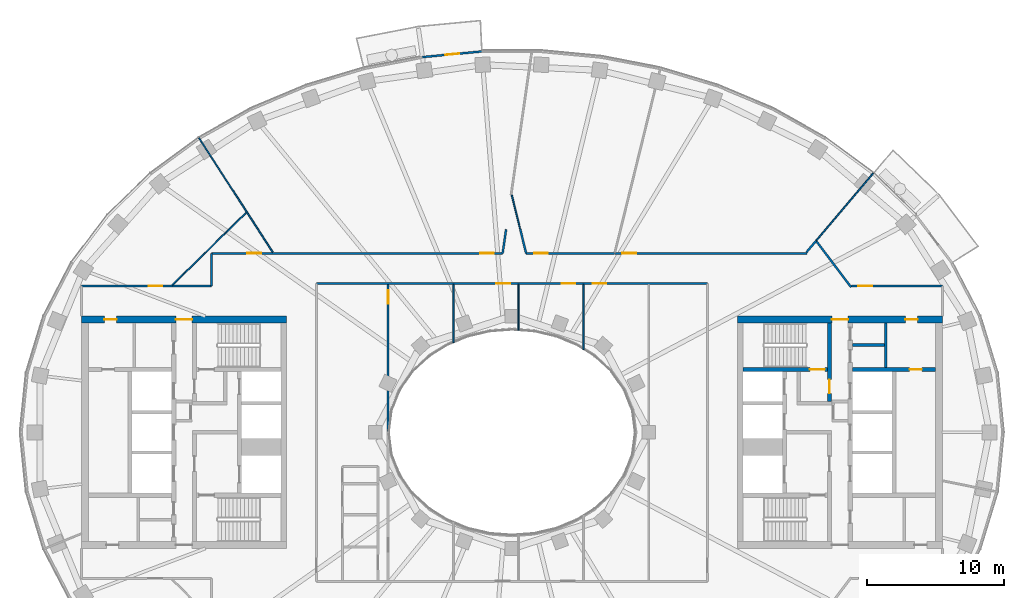
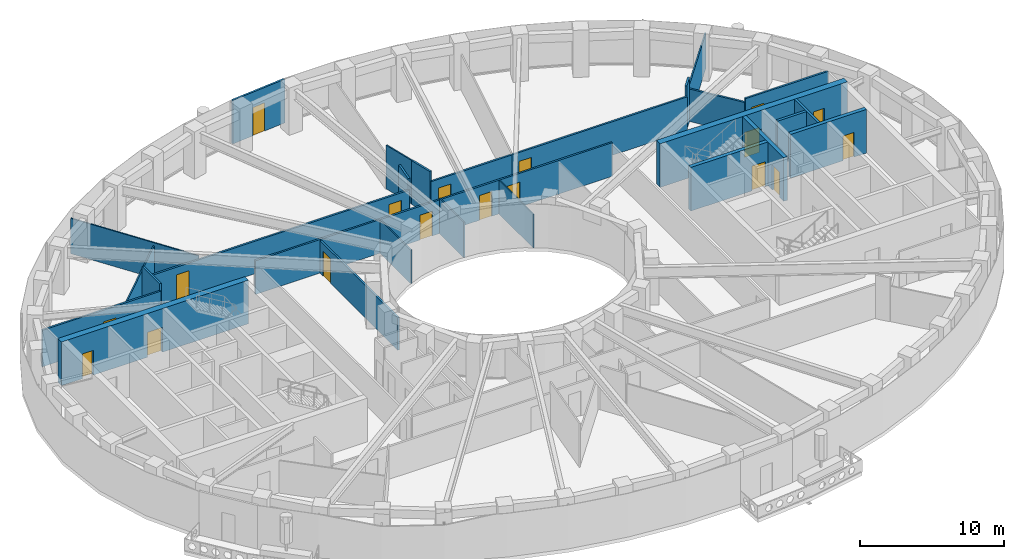
# One storey, part 6 of 16: 27 walls, 18 doors, 18 openings.
"""IFC4 building model written with IfcOpenShell, lengths in metres."""

from ifc_helpers import new_model, si_unit, direction, frame, frame_2d, origin, place, context, subcontext, project, spatial, rectangle, extrude, material, layer, layer_set, type_object, element, fill, save


model = new_model("IFC4")

# Units and contexts
model_context = context("Model", 3, precision=1e-05, world=origin(), true_north=direction((0.0, 1.0)))
body_context = subcontext(model_context, "Body", "Model", "MODEL_VIEW")
ifc_project = project(units=[si_unit("LENGTHUNIT", "METRE"), si_unit("AREAUNIT", "SQUARE_METRE"), si_unit("VOLUMEUNIT", "CUBIC_METRE"), si_unit("PLANEANGLEUNIT", "RADIAN"), si_unit("MASSUNIT", "GRAM", prefix="KILO")], contexts=[model_context])

# Site, building, storey
site_placement = place(None, origin())
site = spatial("IfcSite", under=ifc_project, at=site_placement, CompositionType="ELEMENT")
building_placement = place(site_placement, origin())
building = spatial("IfcBuilding", under=site, at=building_placement, Name="Noorbagh Ring Tower", CompositionType="ELEMENT")
storey_placement = place(building_placement, frame((0.0, 0.0, 257.5)))
storey = spatial("IfcBuildingStorey", under=building, at=storey_placement, Name="L54", CompositionType="ELEMENT", Elevation=257.5)

# Walls
ifc_material_1 = material(Name="Gypsum board on steel studs", Category="steel")
ifc_layer_1 = layer(ifc_material_1, 0.199951171875)
ifc_layer_set_1 = layer_set([ifc_layer_1], Name="Gypsum board on steel studs")
wall_type_1 = type_object("IfcWallType", Name="CORE-PARTITION-200", PredefinedType="PARTITIONING", material=ifc_layer_set_1)
wall_1_placement = place(storey_placement, frame((27.35009765625, 4.75, 0.0), z_axis=(0.0, 0.0, 1.0), x_axis=(0.0, 1.0, 0.0)))
element("IfcWall", 1, at=wall_1_placement, inside=storey, type_object=wall_type_1, Name="Core partition E", PredefinedType="PARTITIONING", context=body_context, shape_type="SweptSolid", body=[
    extrude(rectangle(XDim=3.25, YDim=0.199951171875, at=frame_2d((1.625, 0.0))), origin(), (0.0, 0.0, 1.0), 3.699951171875),
])
wall_2_placement = place(storey_placement, frame((24.89990234375, 6.39990234375, 0.0), z_axis=(0.0, 0.0, 1.0), x_axis=(1.0, 0.0, 0.0)))
element("IfcWall", 2, at=wall_2_placement, inside=storey, type_object=wall_type_1, Name="Core partition E", PredefinedType="PARTITIONING", context=body_context, shape_type="SweptSolid", body=[
    extrude(rectangle(XDim=2.35009765625, YDim=0.199951171875, at=frame_2d((1.175048828125, 0.0))), origin(), (0.0, 0.0, 1.0), 3.699951171875),
])

# Wall, opening, door
ifc_material_2 = material(Name="Concrete C60/75", Category="concrete")
ifc_layer_2 = layer(ifc_material_2, 0.300048828125)
ifc_layer_set_2 = layer_set([ifc_layer_2], Name="Concrete C60/75")
wall_type_2 = type_object("IfcWallType", Name="CORE-WALL-300-C60-75-EI240", PredefinedType="SHEAR", material=ifc_layer_set_2)
wall_3_placement = place(storey_placement, frame((24.89990234375, 4.60009765625, 0.0), z_axis=(0.0, 0.0, 1.0), x_axis=(1.0, 0.0, 0.0)))
wall_3 = element("IfcWall", 3, at=wall_3_placement, inside=storey, type_object=wall_type_2, Name="Core wall E", PredefinedType="SHEAR", context=body_context, shape_type="SweptSolid", body=[
    extrude(rectangle(XDim=6.10009765625, YDim=0.300048828125, at=frame_2d((3.050048828125, 0.0))), origin(), (0.0, 0.0, 1.0), 3.699951171875),
])
opening_1_placement = place(wall_3_placement, frame((4.199951171875, 0.0, 0.0)))
opening_1 = element("IfcOpeningElement", 4, at=opening_1_placement, cuts=wall_3, Name="Opening L54-CE19", PredefinedType="OPENING", context=body_context, shape_type="SweptSolid", body=[
    extrude(rectangle(XDim=0.89990234375, YDim=2.10009765625, at=frame_2d((0.449951171875, 1.050048828125))), frame((0.0, 0.16015625, 0.0), z_axis=(0.0, -1.0, 0.0), x_axis=(1.0, 0.0, 0.0)), (0.0, 0.0, 1.0), 0.320068359375),
])
ifc_material_3 = material(Name="Steel door leaf", Category="steel")
door_type_1 = type_object("IfcDoorType", Name="CORE-DOOR-DROOM", OperationType="SINGLE_SWING_LEFT", PredefinedType="DOOR", material=ifc_material_3)
door_1_placement = place(opening_1_placement, origin())
door_1 = element("IfcDoor", 5, at=door_1_placement, inside=storey, type_object=door_type_1, Name="Core room door L54-CE19", OperationType="SINGLE_SWING_RIGHT", OverallHeight=2.10009765625, OverallWidth=0.89990234375, PredefinedType="DOOR", context=body_context, shape_type="SweptSolid", body=[
    extrude(rectangle(XDim=0.89990234375, YDim=2.10009765625, at=frame_2d((0.449951171875, 1.050048828125))), frame((0.0, 0.02490234375, 0.0), z_axis=(0.0, -1.0, 0.0), x_axis=(1.0, 0.0, 0.0)), (0.0, 0.0, 1.0), 0.050048828125),
])
fill(opening_1, door_1)

wall_4_placement = place(storey_placement, frame((23.22998046875, 2.25, 0.0), z_axis=(0.0, 0.0, 1.0), x_axis=(0.0, 1.0, 0.0)))
wall_4 = element("IfcWall", 6, at=wall_4_placement, inside=storey, type_object=wall_type_2, Name="Core wall E", PredefinedType="SHEAR", context=body_context, shape_type="SweptSolid", body=[
    extrude(rectangle(XDim=5.75, YDim=0.300048828125, at=frame_2d((2.875, 0.0))), origin(), (0.0, 0.0, 1.0), 3.699951171875),
])
opening_2_placement = place(wall_4_placement, frame((0.60009765625, 0.0, 0.0)))
opening_2 = element("IfcOpeningElement", 7, at=opening_2_placement, cuts=wall_4, Name="Opening L54-CE10", PredefinedType="OPENING", context=body_context, shape_type="SweptSolid", body=[
    extrude(rectangle(XDim=1.0, YDim=2.10009765625, at=frame_2d((0.5, 1.050048828125))), frame((0.0, 0.16015625, 0.0), z_axis=(0.0, -1.0, 0.0), x_axis=(1.0, 0.0, 0.0)), (0.0, 0.0, 1.0), 0.320068359375),
])
ifc_material_4 = material(Name="Steel door leaf", Category="steel")
door_type_2 = type_object("IfcDoorType", Name="CORE-DOOR-DVEST", OperationType="SINGLE_SWING_LEFT", PredefinedType="DOOR", material=ifc_material_4)
door_2_placement = place(opening_2_placement, origin())
door_2 = element("IfcDoor", 8, at=door_2_placement, inside=storey, type_object=door_type_2, Name="Stair vestibule door L54-CE10", OperationType="SINGLE_SWING_RIGHT", OverallHeight=2.10009765625, OverallWidth=1.0, PredefinedType="DOOR", context=body_context, shape_type="SweptSolid", body=[
    extrude(rectangle(XDim=1.0, YDim=2.10009765625, at=frame_2d((0.5, 1.050048828125))), frame((0.0, 0.02490234375, 0.0), z_axis=(0.0, -1.0, 0.0), x_axis=(1.0, 0.0, 0.0)), (0.0, 0.0, 1.0), 0.050048828125),
])
fill(opening_2, door_2)

wall_5_placement = place(storey_placement, frame((16.89990234375, 4.60009765625, 0.0), z_axis=(0.0, 0.0, 1.0), x_axis=(1.0, 0.0, 0.0)))
wall_5 = element("IfcWall", 9, at=wall_5_placement, inside=storey, type_object=wall_type_2, Name="Core wall E", PredefinedType="SHEAR", context=body_context, shape_type="SweptSolid", body=[
    extrude(rectangle(XDim=6.18017578125, YDim=0.300048828125, at=frame_2d((3.090087890625, 0.0))), origin(), (0.0, 0.0, 1.0), 3.699951171875),
])
opening_3_placement = place(wall_5_placement, frame((4.89990234375, 0.0, 0.0)))
opening_3 = element("IfcOpeningElement", 10, at=opening_3_placement, cuts=wall_5, Name="Opening L54-CE07", PredefinedType="OPENING", context=body_context, shape_type="SweptSolid", body=[
    extrude(rectangle(XDim=1.10009765625, YDim=2.10009765625, at=frame_2d((0.550048828125, 1.050048828125))), frame((0.0, 0.16015625, 0.0), z_axis=(0.0, -1.0, 0.0), x_axis=(1.0, 0.0, 0.0)), (0.0, 0.0, 1.0), 0.320068359375),
])
ifc_material_5 = material(Name="Steel door leaf", Category="steel")
door_type_3 = type_object("IfcDoorType", Name="CORE-DOOR-DSTAIR", OperationType="SINGLE_SWING_LEFT", PredefinedType="DOOR", material=ifc_material_5)
door_3_placement = place(opening_3_placement, origin())
door_3 = element("IfcDoor", 11, at=door_3_placement, inside=storey, type_object=door_type_3, Name="Stair door ST3 L54-CE07", OperationType="SINGLE_SWING_LEFT", OverallHeight=2.10009765625, OverallWidth=1.10009765625, PredefinedType="DOOR", context=body_context, shape_type="SweptSolid", body=[
    extrude(rectangle(XDim=1.10009765625, YDim=2.10009765625, at=frame_2d((0.550048828125, 1.050048828125))), frame((0.0, 0.02490234375, 0.0), z_axis=(0.0, -1.0, 0.0), x_axis=(1.0, 0.0, 0.0)), (0.0, 0.0, 1.0), 0.050048828125),
])
fill(opening_3, door_3)

# Wall, openings, doors
ifc_material_6 = material(Name="Concrete C60/75", Category="concrete")
ifc_layer_3 = layer(ifc_material_6, 0.5)
ifc_layer_set_3 = layer_set([ifc_layer_3], Name="Concrete C60/75")
wall_type_3 = type_object("IfcWallType", Name="CORE-WALL-500-C60-75-EI240", PredefinedType="SHEAR", material=ifc_layer_set_3)
wall_6_placement = place(storey_placement, frame((-16.5, 8.25, 0.0), z_axis=(0.0, 0.0, 1.0), x_axis=(-1.0, 0.0, 0.0)))
wall_6 = element("IfcWall", 12, at=wall_6_placement, inside=storey, type_object=wall_type_3, Name="Core wall W", PredefinedType="SHEAR", context=body_context, shape_type="SweptSolid", body=[
    extrude(rectangle(XDim=15.0, YDim=0.5, at=frame_2d((7.5, 0.0))), origin(), (0.0, 0.0, 1.0), 3.699951171875),
])
opening_4_placement = place(wall_6_placement, frame((6.89990234375, 0.0, 0.0)))
opening_4 = element("IfcOpeningElement", 13, at=opening_4_placement, cuts=wall_6, Name="Opening L54-CW10", PredefinedType="OPENING", context=body_context, shape_type="SweptSolid", body=[
    extrude(rectangle(XDim=1.199951171875, YDim=2.10009765625, at=frame_2d((0.60009765625, 1.050048828125))), frame((0.0, 0.260009765625, 0.0), z_axis=(0.0, -1.0, 0.0), x_axis=(1.0, 0.0, 0.0)), (0.0, 0.0, 1.0), 0.52001953125),
])
opening_5_placement = place(wall_6_placement, frame((12.425048828125, 0.0, 0.0)))
opening_5 = element("IfcOpeningElement", 14, at=opening_5_placement, cuts=wall_6, Name="Opening L54-CW13", PredefinedType="OPENING", context=body_context, shape_type="SweptSolid", body=[
    extrude(rectangle(XDim=0.89990234375, YDim=2.10009765625, at=frame_2d((0.449951171875, 1.050048828125))), frame((0.0, 0.260009765625, 0.0), z_axis=(0.0, -1.0, 0.0), x_axis=(1.0, 0.0, 0.0)), (0.0, 0.0, 1.0), 0.52001953125),
])
door_4_placement = place(opening_5_placement, origin())
door_4 = element("IfcDoor", 15, at=door_4_placement, inside=storey, type_object=door_type_1, Name="Core room door L54-CW13", OperationType="SINGLE_SWING_RIGHT", OverallHeight=2.10009765625, OverallWidth=0.89990234375, PredefinedType="DOOR", context=body_context, shape_type="SweptSolid", body=[
    extrude(rectangle(XDim=0.89990234375, YDim=2.10009765625, at=frame_2d((0.449951171875, 1.050048828125))), frame((0.0, 0.02490234375, 0.0), z_axis=(0.0, -1.0, 0.0), x_axis=(1.0, 0.0, 0.0)), (0.0, 0.0, 1.0), 0.050048828125),
])
fill(opening_5, door_4)
ifc_material_7 = material(Name="Steel door leaf", Category="steel")
door_type_4 = type_object("IfcDoorType", Name="CORE-DOOR-PORT", OperationType="DOUBLE_DOOR_DOUBLE_SWING", PredefinedType="DOOR", material=ifc_material_7)
door_5_placement = place(opening_4_placement, origin())
door_5 = element("IfcDoor", 16, at=door_5_placement, inside=storey, type_object=door_type_4, Name="Core entrance door L54-CW10", OperationType="DOUBLE_DOOR_DOUBLE_SWING", OverallHeight=2.10009765625, OverallWidth=1.199951171875, PredefinedType="DOOR", context=body_context, shape_type="SweptSolid", body=[
    extrude(rectangle(XDim=1.199951171875, YDim=2.10009765625, at=frame_2d((0.60009765625, 1.050048828125))), frame((0.0, 0.02490234375, 0.0), z_axis=(0.0, -1.0, 0.0), x_axis=(1.0, 0.0, 0.0)), (0.0, 0.0, 1.0), 0.050048828125),
])
fill(opening_4, door_5)

wall_7_placement = place(storey_placement, frame((16.5, 8.25, 0.0), z_axis=(0.0, 0.0, 1.0), x_axis=(1.0, 0.0, 0.0)))
wall_7 = element("IfcWall", 17, at=wall_7_placement, inside=storey, type_object=wall_type_3, Name="Core wall E", PredefinedType="SHEAR", context=body_context, shape_type="SweptSolid", body=[
    extrude(rectangle(XDim=15.0, YDim=0.5, at=frame_2d((7.5, 0.0))), origin(), (0.0, 0.0, 1.0), 3.699951171875),
])
opening_6_placement = place(wall_7_placement, frame((6.89990234375, 0.0, 0.0)))
opening_6 = element("IfcOpeningElement", 18, at=opening_6_placement, cuts=wall_7, Name="Opening L54-CE11", PredefinedType="OPENING", context=body_context, shape_type="SweptSolid", body=[
    extrude(rectangle(XDim=1.199951171875, YDim=2.10009765625, at=frame_2d((0.60009765625, 1.050048828125))), frame((0.0, 0.260009765625, 0.0), z_axis=(0.0, -1.0, 0.0), x_axis=(1.0, 0.0, 0.0)), (0.0, 0.0, 1.0), 0.52001953125),
])
opening_7_placement = place(wall_7_placement, frame((12.27490234375, 0.0, 0.0)))
opening_7 = element("IfcOpeningElement", 19, at=opening_7_placement, cuts=wall_7, Name="Opening L54-CE15", PredefinedType="OPENING", context=body_context, shape_type="SweptSolid", body=[
    extrude(rectangle(XDim=0.89990234375, YDim=2.10009765625, at=frame_2d((0.449951171875, 1.050048828125))), frame((0.0, 0.260009765625, 0.0), z_axis=(0.0, -1.0, 0.0), x_axis=(1.0, 0.0, 0.0)), (0.0, 0.0, 1.0), 0.52001953125),
])
door_6_placement = place(opening_7_placement, origin())
door_6 = element("IfcDoor", 20, at=door_6_placement, inside=storey, type_object=door_type_1, Name="Core room door L54-CE15", OperationType="SINGLE_SWING_LEFT", OverallHeight=2.10009765625, OverallWidth=0.89990234375, PredefinedType="DOOR", context=body_context, shape_type="SweptSolid", body=[
    extrude(rectangle(XDim=0.89990234375, YDim=2.10009765625, at=frame_2d((0.449951171875, 1.050048828125))), frame((0.0, 0.02490234375, 0.0), z_axis=(0.0, -1.0, 0.0), x_axis=(1.0, 0.0, 0.0)), (0.0, 0.0, 1.0), 0.050048828125),
])
fill(opening_7, door_6)
door_7_placement = place(opening_6_placement, origin())
door_7 = element("IfcDoor", 21, at=door_7_placement, inside=storey, type_object=door_type_4, Name="Core entrance door L54-CE11", OperationType="DOUBLE_DOOR_DOUBLE_SWING", OverallHeight=2.10009765625, OverallWidth=1.199951171875, PredefinedType="DOOR", context=body_context, shape_type="SweptSolid", body=[
    extrude(rectangle(XDim=1.199951171875, YDim=2.10009765625, at=frame_2d((0.60009765625, 1.050048828125))), frame((0.0, 0.02490234375, 0.0), z_axis=(0.0, -1.0, 0.0), x_axis=(1.0, 0.0, 0.0)), (0.0, 0.0, 1.0), 0.050048828125),
])
fill(opening_6, door_7)

# Wall, opening, door
ifc_material_8 = material(Name="Gypsum board on steel studs", Category="steel")
ifc_layer_4 = layer(ifc_material_8, 0.14990234375)
ifc_layer_set_4 = layer_set([ifc_layer_4], Name="Gypsum board on steel studs")
wall_type_4 = type_object("IfcWallType", Name="CORRIDOR PARTITION 150 EI 30", PredefinedType="PARTITIONING", material=ifc_layer_set_4)
wall_8_placement = place(storey_placement, frame((-31.5, 10.699951171875, 0.0), z_axis=(0.0, 0.0, 1.0), x_axis=(1.0, 0.0, 0.0)))
wall_8 = element("IfcWall", 22, at=wall_8_placement, inside=storey, type_object=wall_type_4, Name="L54/wall/P05", PredefinedType="PARTITIONING", context=body_context, shape_type="SweptSolid", body=[
    extrude(rectangle(XDim=9.5, YDim=0.14990234375, at=frame_2d((4.75, 0.0))), origin(), (0.0, 0.0, 1.0), 3.10009765625),
])
opening_8_placement = place(wall_8_placement, frame((4.909912109375, 0.0, 0.0)))
opening_8 = element("IfcOpeningElement", 23, at=opening_8_placement, cuts=wall_8, Name="Opening D1", PredefinedType="OPENING", context=body_context, shape_type="SweptSolid", body=[
    extrude(rectangle(XDim=1.0, YDim=2.10009765625, at=frame_2d((0.5, 1.050048828125))), frame((0.0, 0.0849609375, 0.0), z_axis=(0.0, -1.0, 0.0), x_axis=(1.0, 0.0, 0.0)), (0.0, 0.0, 1.0), 0.169921875),
])
ifc_material_9 = material(Name="Timber, painted", Category="wood")
door_type_5 = type_object("IfcDoorType", Name="DOOR 1000 X 2100 FD30", OperationType="SINGLE_SWING_LEFT", PredefinedType="DOOR", material=ifc_material_9)
door_8_placement = place(opening_8_placement, origin())
door_8 = element("IfcDoor", 24, at=door_8_placement, inside=storey, type_object=door_type_5, Name="L54-D07", OperationType="SINGLE_SWING_LEFT", OverallHeight=2.10009765625, OverallWidth=1.0, PredefinedType="DOOR", context=body_context, shape_type="SweptSolid", body=[
    extrude(rectangle(XDim=1.0, YDim=2.10009765625, at=frame_2d((0.5, 1.050048828125))), frame((0.0, 0.02490234375, 0.0), z_axis=(0.0, -1.0, 0.0), x_axis=(1.0, 0.0, 0.0)), (0.0, 0.0, 1.0), 0.050048828125),
])
fill(opening_8, door_8)

# Wall
wall_9_placement = place(storey_placement, frame((-22.0, 10.699951171875, 0.0), z_axis=(0.0, 0.0, 1.0), x_axis=(0.0, 1.0, 0.0)))
element("IfcWall", 25, at=wall_9_placement, inside=storey, type_object=wall_type_4, Name="L54/wall/P12", PredefinedType="PARTITIONING", context=body_context, shape_type="SweptSolid", body=[
    extrude(rectangle(XDim=2.400146484375, YDim=0.14990234375, at=frame_2d((1.2001953125, 0.0))), origin(), (0.0, 0.0, 1.0), 3.699951171875),
])

# Wall, openings, doors
wall_10_placement = place(storey_placement, frame((-22.0, 13.10009765625, 0.0), z_axis=(0.0, 0.0, 1.0), x_axis=(1.0, 0.0, 0.0)))
wall_10 = element("IfcWall", 26, at=wall_10_placement, inside=storey, type_object=wall_type_4, Name="L54/wall/P13", PredefinedType="PARTITIONING", context=body_context, shape_type="SweptSolid", body=[
    extrude(rectangle(XDim=21.31396484375, YDim=0.14990234375, at=frame_2d((10.656982421875, 0.0))), origin(), (0.0, 0.0, 1.0), 2.75),
])
opening_9_placement = place(wall_10_placement, frame((2.64306640625, 0.0, 0.0)))
opening_9 = element("IfcOpeningElement", 27, at=opening_9_placement, cuts=wall_10, Name="Opening D1", PredefinedType="OPENING", context=body_context, shape_type="SweptSolid", body=[
    extrude(rectangle(XDim=1.0, YDim=2.10009765625, at=frame_2d((0.5, 1.050048828125))), frame((0.0, 0.0849609375, 0.0), z_axis=(0.0, -1.0, 0.0), x_axis=(1.0, 0.0, 0.0)), (0.0, 0.0, 1.0), 0.169921875),
])
opening_10_placement = place(wall_10_placement, frame((19.6640625, 0.0, 0.0)))
opening_10 = element("IfcOpeningElement", 28, at=opening_10_placement, cuts=wall_10, Name="Opening D1", PredefinedType="OPENING", context=body_context, shape_type="SweptSolid", body=[
    extrude(rectangle(XDim=1.0, YDim=2.10009765625, at=frame_2d((0.5, 1.050048828125))), frame((0.0, 0.0849609375, 0.0), z_axis=(0.0, -1.0, 0.0), x_axis=(1.0, 0.0, 0.0)), (0.0, 0.0, 1.0), 0.169921875),
])
door_9_placement = place(opening_9_placement, origin())
door_9 = element("IfcDoor", 29, at=door_9_placement, inside=storey, type_object=door_type_5, Name="L54-D09", OperationType="SINGLE_SWING_LEFT", OverallHeight=2.10009765625, OverallWidth=1.0, PredefinedType="DOOR", context=body_context, shape_type="SweptSolid", body=[
    extrude(rectangle(XDim=1.0, YDim=2.10009765625, at=frame_2d((0.5, 1.050048828125))), frame((0.0, 0.02490234375, 0.0), z_axis=(0.0, -1.0, 0.0), x_axis=(1.0, 0.0, 0.0)), (0.0, 0.0, 1.0), 0.050048828125),
])
fill(opening_9, door_9)
door_10_placement = place(opening_10_placement, origin())
door_10 = element("IfcDoor", 30, at=door_10_placement, inside=storey, type_object=door_type_5, Name="L54-D11", OperationType="SINGLE_SWING_LEFT", OverallHeight=2.10009765625, OverallWidth=1.0, PredefinedType="DOOR", context=body_context, shape_type="SweptSolid", body=[
    extrude(rectangle(XDim=1.0, YDim=2.10009765625, at=frame_2d((0.5, 1.050048828125))), frame((0.0, 0.02490234375, 0.0), z_axis=(0.0, -1.0, 0.0), x_axis=(1.0, 0.0, 0.0)), (0.0, 0.0, 1.0), 0.050048828125),
])
fill(opening_10, door_10)

wall_11_placement = place(storey_placement, frame((-14.300048828125, 10.89990234375, 0.0), z_axis=(0.0, 0.0, 1.0), x_axis=(1.0, 0.0, 0.0)))
wall_11 = element("IfcWall", 31, at=wall_11_placement, inside=storey, type_object=wall_type_4, Name="L54/wall/P16", PredefinedType="PARTITIONING", context=body_context, shape_type="SweptSolid", body=[
    extrude(rectangle(XDim=28.60009765625, YDim=0.14990234375, at=frame_2d((14.300048828125, 0.0))), origin(), (0.0, 0.0, 1.0), 2.85009765625),
])
opening_11_placement = place(wall_11_placement, frame((13.159912109375, 0.0, 0.0)))
opening_11 = element("IfcOpeningElement", 32, at=opening_11_placement, cuts=wall_11, Name="Opening D1", PredefinedType="OPENING", context=body_context, shape_type="SweptSolid", body=[
    extrude(rectangle(XDim=1.0, YDim=2.10009765625, at=frame_2d((0.5, 1.050048828125))), frame((0.0, 0.0849609375, 0.0), z_axis=(0.0, -1.0, 0.0), x_axis=(1.0, 0.0, 0.0)), (0.0, 0.0, 1.0), 0.169921875),
])
opening_12_placement = place(wall_11_placement, frame((17.927001953125, 0.0, 0.0)))
opening_12 = element("IfcOpeningElement", 33, at=opening_12_placement, cuts=wall_11, Name="Opening D1", PredefinedType="OPENING", context=body_context, shape_type="SweptSolid", body=[
    extrude(rectangle(XDim=1.0, YDim=2.10009765625, at=frame_2d((0.5, 1.050048828125))), frame((0.0, 0.0849609375, 0.0), z_axis=(0.0, -1.0, 0.0), x_axis=(1.0, 0.0, 0.0)), (0.0, 0.0, 1.0), 0.169921875),
])
opening_13_placement = place(wall_11_placement, frame((20.193115234375, 0.0, 0.0)))
opening_13 = element("IfcOpeningElement", 34, at=opening_13_placement, cuts=wall_11, Name="Opening D1", PredefinedType="OPENING", context=body_context, shape_type="SweptSolid", body=[
    extrude(rectangle(XDim=1.0, YDim=2.10009765625, at=frame_2d((0.5, 1.050048828125))), frame((0.0, 0.0849609375, 0.0), z_axis=(0.0, -1.0, 0.0), x_axis=(1.0, 0.0, 0.0)), (0.0, 0.0, 1.0), 0.169921875),
])
door_11_placement = place(opening_11_placement, origin())
door_11 = element("IfcDoor", 35, at=door_11_placement, inside=storey, type_object=door_type_5, Name="L54-D22", OperationType="SINGLE_SWING_RIGHT", OverallHeight=2.10009765625, OverallWidth=1.0, PredefinedType="DOOR", context=body_context, shape_type="SweptSolid", body=[
    extrude(rectangle(XDim=1.0, YDim=2.10009765625, at=frame_2d((0.5, 1.050048828125))), frame((0.0, 0.02490234375, 0.0), z_axis=(0.0, -1.0, 0.0), x_axis=(1.0, 0.0, 0.0)), (0.0, 0.0, 1.0), 0.050048828125),
])
fill(opening_11, door_11)
door_12_placement = place(opening_12_placement, origin())
door_12 = element("IfcDoor", 36, at=door_12_placement, inside=storey, type_object=door_type_5, Name="L54-D24", OperationType="SINGLE_SWING_RIGHT", OverallHeight=2.10009765625, OverallWidth=1.0, PredefinedType="DOOR", context=body_context, shape_type="SweptSolid", body=[
    extrude(rectangle(XDim=1.0, YDim=2.10009765625, at=frame_2d((0.5, 1.050048828125))), frame((0.0, 0.02490234375, 0.0), z_axis=(0.0, -1.0, 0.0), x_axis=(1.0, 0.0, 0.0)), (0.0, 0.0, 1.0), 0.050048828125),
])
fill(opening_12, door_12)
door_13_placement = place(opening_13_placement, origin())
door_13 = element("IfcDoor", 37, at=door_13_placement, inside=storey, type_object=door_type_5, Name="L54-D25", OperationType="SINGLE_SWING_LEFT", OverallHeight=2.10009765625, OverallWidth=1.0, PredefinedType="DOOR", context=body_context, shape_type="SweptSolid", body=[
    extrude(rectangle(XDim=1.0, YDim=2.10009765625, at=frame_2d((0.5, 1.050048828125))), frame((0.0, 0.02490234375, 0.0), z_axis=(0.0, -1.0, 0.0), x_axis=(1.0, 0.0, 0.0)), (0.0, 0.0, 1.0), 0.050048828125),
])
fill(opening_13, door_13)

# Wall, opening, door
wall_12_placement = place(storey_placement, frame((-9.056884765625, 0.044921875, 0.0), z_axis=(0.0, 0.0, 1.0), x_axis=(0.0, 1.0, 0.0)))
wall_12 = element("IfcWall", 38, at=wall_12_placement, inside=storey, type_object=wall_type_4, Name="L54/wall/P26", PredefinedType="PARTITIONING", context=body_context, shape_type="SweptSolid", body=[
    extrude(rectangle(XDim=10.780029296875, YDim=0.14990234375, at=frame_2d((5.39013671875, 0.0))), origin(), (0.0, 0.0, 1.0), 2.75),
])
opening_14_placement = place(wall_12_placement, frame((9.360107421875, 0.0, 0.0)))
opening_14 = element("IfcOpeningElement", 39, at=opening_14_placement, cuts=wall_12, Name="Opening D1", PredefinedType="OPENING", context=body_context, shape_type="SweptSolid", body=[
    extrude(rectangle(XDim=1.0, YDim=2.10009765625, at=frame_2d((0.5, 1.050048828125))), frame((0.0, 0.0849609375, 0.0), z_axis=(0.0, -1.0, 0.0), x_axis=(1.0, 0.0, 0.0)), (0.0, 0.0, 1.0), 0.169921875),
])
door_14_placement = place(opening_14_placement, origin())
door_14 = element("IfcDoor", 40, at=door_14_placement, inside=storey, type_object=door_type_5, Name="L54-D20", OperationType="SINGLE_SWING_RIGHT", OverallHeight=2.10009765625, OverallWidth=1.0, PredefinedType="DOOR", context=body_context, shape_type="SweptSolid", body=[
    extrude(rectangle(XDim=1.0, YDim=2.10009765625, at=frame_2d((0.5, 1.050048828125))), frame((0.0, 0.02490234375, 0.0), z_axis=(0.0, -1.0, 0.0), x_axis=(1.0, 0.0, 0.0)), (0.0, 0.0, 1.0), 0.050048828125),
])
fill(opening_14, door_14)

# Walls
wall_13_placement = place(storey_placement, frame((-0.68603515625, 13.10009765625, 0.0), z_axis=(0.0, 0.0, 1.0), x_axis=(0.143329398439, 0.989675039366, 0.0)))
element("IfcWall", 41, at=wall_13_placement, inside=storey, type_object=wall_type_4, Name="L54/wall/P32", PredefinedType="PARTITIONING", context=body_context, shape_type="SweptSolid", body=[
    extrude(rectangle(XDim=1.773193359375, YDim=0.14990234375, at=frame_2d((0.88671875, 0.0))), origin(), (0.0, 0.0, 1.0), 3.699951171875),
])
wall_14_placement = place(storey_placement, frame((0.597900390625, 14.8740234375, 0.0), z_axis=(0.0, 0.0, 1.0), x_axis=(0.239705101821, -0.970845746842, 0.0)))
element("IfcWall", 42, at=wall_14_placement, inside=storey, type_object=wall_type_4, Name="L54/wall/P40", PredefinedType="PARTITIONING", context=body_context, shape_type="SweptSolid", body=[
    extrude(rectangle(XDim=1.8271484375, YDim=0.14990234375, at=frame_2d((0.91357421875, 0.0))), origin(), (0.0, 0.0, 1.0), 3.699951171875),
])

# Wall, opening, door
wall_15_placement = place(storey_placement, frame((1.035888671875, 13.10009765625, 0.0), z_axis=(0.0, 0.0, 1.0), x_axis=(1.0, 0.0, 0.0)))
wall_15 = element("IfcWall", 43, at=wall_15_placement, inside=storey, type_object=wall_type_4, Name="L54/wall/P43", PredefinedType="PARTITIONING", context=body_context, shape_type="SweptSolid", body=[
    extrude(rectangle(XDim=6.47119140625, YDim=0.14990234375, at=frame_2d((3.235595703125, 0.0))), origin(), (0.0, 0.0, 1.0), 2.85009765625),
])
opening_15_placement = place(wall_15_placement, frame((0.587890625, 0.0, 0.0)))
opening_15 = element("IfcOpeningElement", 44, at=opening_15_placement, cuts=wall_15, Name="Opening D1", PredefinedType="OPENING", context=body_context, shape_type="SweptSolid", body=[
    extrude(rectangle(XDim=1.0, YDim=2.10009765625, at=frame_2d((0.5, 1.050048828125))), frame((0.0, 0.0849609375, 0.0), z_axis=(0.0, -1.0, 0.0), x_axis=(1.0, 0.0, 0.0)), (0.0, 0.0, 1.0), 0.169921875),
])
door_15_placement = place(opening_15_placement, origin())
door_15 = element("IfcDoor", 45, at=door_15_placement, inside=storey, type_object=door_type_5, Name="L54-D14", OperationType="SINGLE_SWING_RIGHT", OverallHeight=2.10009765625, OverallWidth=1.0, PredefinedType="DOOR", context=body_context, shape_type="SweptSolid", body=[
    extrude(rectangle(XDim=1.0, YDim=2.10009765625, at=frame_2d((0.5, 1.050048828125))), frame((0.0, 0.02490234375, 0.0), z_axis=(0.0, -1.0, 0.0), x_axis=(1.0, 0.0, 0.0)), (0.0, 0.0, 1.0), 0.050048828125),
])
fill(opening_15, door_15)

wall_16_placement = place(storey_placement, frame((7.52392578125, 13.10009765625, 0.0), z_axis=(0.0, 0.0, 1.0), x_axis=(1.0, 0.0, 0.0)))
wall_16 = element("IfcWall", 46, at=wall_16_placement, inside=storey, type_object=wall_type_4, Name="L54/wall/P49", PredefinedType="PARTITIONING", context=body_context, shape_type="SweptSolid", body=[
    extrude(rectangle(XDim=14.052001953125, YDim=0.14990234375, at=frame_2d((7.02587890625, 0.0))), origin(), (0.0, 0.0, 1.0), 2.85009765625),
])
opening_16_placement = place(wall_16_placement, frame((0.553955078125, 0.0, 0.0)))
opening_16 = element("IfcOpeningElement", 47, at=opening_16_placement, cuts=wall_16, Name="Opening D1", PredefinedType="OPENING", context=body_context, shape_type="SweptSolid", body=[
    extrude(rectangle(XDim=1.0, YDim=2.10009765625, at=frame_2d((0.5, 1.050048828125))), frame((0.0, 0.0849609375, 0.0), z_axis=(0.0, -1.0, 0.0), x_axis=(1.0, 0.0, 0.0)), (0.0, 0.0, 1.0), 0.169921875),
])
door_16_placement = place(opening_16_placement, origin())
door_16 = element("IfcDoor", 48, at=door_16_placement, inside=storey, type_object=door_type_5, Name="L54-D16", OperationType="SINGLE_SWING_RIGHT", OverallHeight=2.10009765625, OverallWidth=1.0, PredefinedType="DOOR", context=body_context, shape_type="SweptSolid", body=[
    extrude(rectangle(XDim=1.0, YDim=2.10009765625, at=frame_2d((0.5, 1.050048828125))), frame((0.0, 0.02490234375, 0.0), z_axis=(0.0, -1.0, 0.0), x_axis=(1.0, 0.0, 0.0)), (0.0, 0.0, 1.0), 0.050048828125),
])
fill(opening_16, door_16)

# Walls
wall_17_placement = place(storey_placement, frame((21.541015625, 13.175048828125, 0.0), z_axis=(0.0, 0.0, 1.0), x_axis=(0.646460291141, 0.762947633837, 0.0)))
element("IfcWall", 49, at=wall_17_placement, inside=storey, type_object=wall_type_4, Name="L54/wall/P53", PredefinedType="PARTITIONING", context=body_context, shape_type="SweptSolid", body=[
    extrude(rectangle(XDim=1.09814453125, YDim=0.14990234375, at=frame_2d((0.549072265625, 0.0))), origin(), (0.0, 0.0, 1.0), 3.699951171875),
])
wall_18_placement = place(storey_placement, frame((22.2509765625, 14.012939453125, 0.0), z_axis=(0.0, 0.0, 1.0), x_axis=(0.602435944628, -0.798167233492, 0.0)))
element("IfcWall", 50, at=wall_18_placement, inside=storey, type_object=wall_type_4, Name="L54/wall/P56", PredefinedType="PARTITIONING", context=body_context, shape_type="SweptSolid", body=[
    extrude(rectangle(XDim=4.24462890625, YDim=0.14990234375, at=frame_2d((2.122314453125, 0.0))), origin(), (0.0, 0.0, 1.0), 2.75),
])

# Wall, opening, door
wall_19_placement = place(storey_placement, frame((24.844970703125, 10.699951171875, 0.0), z_axis=(0.0, 0.0, 1.0), x_axis=(1.0, 0.0, 0.0)))
wall_19 = element("IfcWall", 51, at=wall_19_placement, inside=storey, type_object=wall_type_4, Name="L54/wall/P59", PredefinedType="PARTITIONING", context=body_context, shape_type="SweptSolid", body=[
    extrude(rectangle(XDim=6.655029296875, YDim=0.14990234375, at=frame_2d((3.32763671875, 0.0))), origin(), (0.0, 0.0, 1.0), 3.0),
])
opening_17_placement = place(wall_19_placement, frame((0.5048828125, 0.0, 0.0)))
opening_17 = element("IfcOpeningElement", 52, at=opening_17_placement, cuts=wall_19, Name="Opening D1", PredefinedType="OPENING", context=body_context, shape_type="SweptSolid", body=[
    extrude(rectangle(XDim=1.0, YDim=2.10009765625, at=frame_2d((0.5, 1.050048828125))), frame((0.0, 0.0849609375, 0.0), z_axis=(0.0, -1.0, 0.0), x_axis=(1.0, 0.0, 0.0)), (0.0, 0.0, 1.0), 0.169921875),
])
door_17_placement = place(opening_17_placement, origin())
door_17 = element("IfcDoor", 53, at=door_17_placement, inside=storey, type_object=door_type_5, Name="L54-D18", OperationType="SINGLE_SWING_RIGHT", OverallHeight=2.10009765625, OverallWidth=1.0, PredefinedType="DOOR", context=body_context, shape_type="SweptSolid", body=[
    extrude(rectangle(XDim=1.0, YDim=2.10009765625, at=frame_2d((0.5, 1.050048828125))), frame((0.0, 0.02490234375, 0.0), z_axis=(0.0, -1.0, 0.0), x_axis=(1.0, 0.0, 0.0)), (0.0, 0.0, 1.0), 0.050048828125),
])
fill(opening_17, door_17)

ifc_material_10 = material(Name="Insulated aluminium clad panel", Category="aluminium")
ifc_layer_5 = layer(ifc_material_10, 0.14990234375)
ifc_layer_set_5 = layer_set([ifc_layer_5], Name="Insulated aluminium clad panel")
wall_type_5 = type_object("IfcWallType", Name="ENV-WALL-DOOR", PredefinedType="STANDARD", material=ifc_layer_set_5)
wall_20_placement = place(storey_placement, frame((-2.166259765625, 27.875244140625, 0.0), z_axis=(0.0, 0.0, 1.0), x_axis=(-0.995473879823, -0.095035543824, 0.0)))
wall_20 = element("IfcWall", 54, at=wall_20_placement, inside=storey, type_object=wall_type_5, Name="Balcony door wall chord 13", PredefinedType="STANDARD", context=body_context, shape_type="SweptSolid", body=[
    extrude(rectangle(XDim=4.42626953125, YDim=0.14990234375, at=frame_2d((2.213134765625, 0.0))), origin(), (0.0, 0.0, 1.0), 3.699951171875),
])
opening_18_placement = place(wall_20_placement, frame((1.713134765625, 0.0, 0.0)))
opening_18 = element("IfcOpeningElement", 55, at=opening_18_placement, cuts=wall_20, Name="Opening D-BL", PredefinedType="OPENING", context=body_context, shape_type="SweptSolid", body=[
    extrude(rectangle(XDim=1.0, YDim=2.39990234375, at=frame_2d((0.5, 1.199951171875))), frame((0.0, 0.0849609375, 0.0), z_axis=(0.0, -1.0, 0.0), x_axis=(1.0, 0.0, 0.0)), (0.0, 0.0, 1.0), 0.169921875),
])
ifc_material_11 = material(Name="Aluminium and glass", Category="aluminium")
door_type_6 = type_object("IfcDoorType", Name="ENV-DOOR-BALCONY", OperationType="SINGLE_SWING_LEFT", PredefinedType="DOOR", material=ifc_material_11)
door_18_placement = place(opening_18_placement, origin())
door_18 = element("IfcDoor", 56, at=door_18_placement, inside=storey, type_object=door_type_6, Name="Balcony door chord 13", OperationType="SINGLE_SWING_LEFT", OverallHeight=2.39990234375, OverallWidth=1.0, PredefinedType="DOOR", context=body_context, shape_type="SweptSolid", body=[
    extrude(rectangle(XDim=1.0, YDim=2.39990234375, at=frame_2d((0.5, 1.199951171875))), frame((0.0, 0.02490234375, 0.0), z_axis=(0.0, -1.0, 0.0), x_axis=(1.0, 0.0, 0.0)), (0.0, 0.0, 1.0), 0.050048828125),
])
fill(opening_18, door_18)

# Walls
ifc_material_12 = material(Name="Gypsum board on steel studs", Category="steel")
ifc_layer_6 = layer(ifc_material_12, 0.10009765625)
ifc_layer_set_6 = layer_set([ifc_layer_6], Name="Gypsum board on steel studs")
wall_type_6 = type_object("IfcWallType", Name="PARTITION 100 GYPSUM", PredefinedType="PARTITIONING", material=ifc_layer_set_6)
wall_21_placement = place(storey_placement, frame((-24.865966796875, 10.778076171875, 0.0), z_axis=(0.0, 0.0, 1.0), x_axis=(0.715632814242, 0.698476681916, 0.0)))
element("IfcWall", 57, at=wall_21_placement, inside=storey, type_object=wall_type_6, Name="L54/wall/P07", PredefinedType="PARTITIONING", context=body_context, shape_type="SweptSolid", body=[
    extrude(rectangle(XDim=7.5849609375, YDim=0.10009765625, at=frame_2d((3.79248046875, 0.0))), origin(), (0.0, 0.0, 1.0), 2.75),
])
wall_22_placement = place(storey_placement, frame((-22.905029296875, 21.5419921875, 0.0), z_axis=(0.0, 0.0, 1.0), x_axis=(0.542277075573, -0.840199722273, 0.0)))
element("IfcWall", 58, at=wall_22_placement, inside=storey, type_object=wall_type_6, Name="L54/wall/P09", PredefinedType="PARTITIONING", context=body_context, shape_type="SweptSolid", body=[
    extrude(rectangle(XDim=9.958251953125, YDim=0.10009765625, at=frame_2d((4.97900390625, 0.0))), origin(), (0.0, 0.0, 1.0), 3.0),
])
wall_23_placement = place(storey_placement, frame((-4.2900390625, 6.568115234375, 0.0), z_axis=(0.0, 0.0, 1.0), x_axis=(0.0, 1.0, 0.0)))
element("IfcWall", 59, at=wall_23_placement, inside=storey, type_object=wall_type_6, Name="L54/wall/P31", PredefinedType="PARTITIONING", context=body_context, shape_type="SweptSolid", body=[
    extrude(rectangle(XDim=4.2568359375, YDim=0.10009765625, at=frame_2d((2.12841796875, 0.0))), origin(), (0.0, 0.0, 1.0), 2.85009765625),
])
wall_24_placement = place(storey_placement, frame((-0.01806640625, 17.366943359375, 0.0), z_axis=(0.0, 0.0, 1.0), x_axis=(0.239726748723, -0.970840401893, 0.0)))
element("IfcWall", 60, at=wall_24_placement, inside=storey, type_object=wall_type_6, Name="L54/wall/P35", PredefinedType="PARTITIONING", context=body_context, shape_type="SweptSolid", body=[
    extrude(rectangle(XDim=2.536865234375, YDim=0.10009765625, at=frame_2d((1.2685546875, 0.0))), origin(), (0.0, 0.0, 1.0), 3.699951171875),
])
wall_25_placement = place(storey_placement, frame((0.47705078125, 7.468017578125, 0.0), z_axis=(0.0, 0.0, 1.0), x_axis=(0.0, 1.0, 0.0)))
element("IfcWall", 61, at=wall_25_placement, inside=storey, type_object=wall_type_6, Name="L54/wall/P37", PredefinedType="PARTITIONING", context=body_context, shape_type="SweptSolid", body=[
    extrude(rectangle(XDim=3.35693359375, YDim=0.10009765625, at=frame_2d((1.678466796875, 0.0))), origin(), (0.0, 0.0, 1.0), 3.0),
])
wall_26_placement = place(storey_placement, frame((5.242919921875, 6.05908203125, 0.0), z_axis=(0.0, 0.0, 1.0), x_axis=(0.0, 1.0, 0.0)))
element("IfcWall", 62, at=wall_26_placement, inside=storey, type_object=wall_type_6, Name="L54/wall/P45", PredefinedType="PARTITIONING", context=body_context, shape_type="SweptSolid", body=[
    extrude(rectangle(XDim=4.765869140625, YDim=0.10009765625, at=frame_2d((2.3828125, 0.0))), origin(), (0.0, 0.0, 1.0), 2.85009765625),
])
wall_27_placement = place(storey_placement, frame((22.2509765625, 14.012939453125, 0.0), z_axis=(0.0, 0.0, 1.0), x_axis=(0.646448300096, 0.76295779392, 0.0)))
element("IfcWall", 63, at=wall_27_placement, inside=storey, type_object=wall_type_6, Name="L54/wall/P57", PredefinedType="PARTITIONING", context=body_context, shape_type="SweptSolid", body=[
    extrude(rectangle(XDim=6.464599609375, YDim=0.10009765625, at=frame_2d((3.232421875, 0.0))), origin(), (0.0, 0.0, 1.0), 3.0),
])

save(model, "model.ifc")
